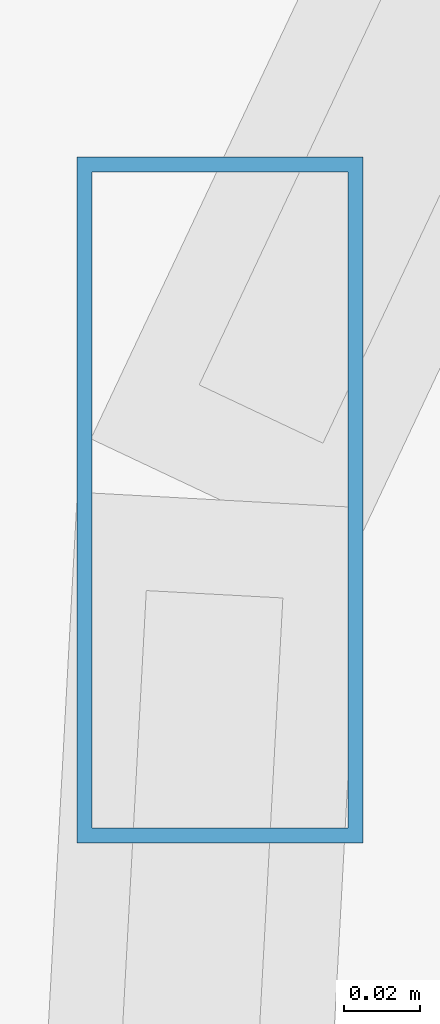
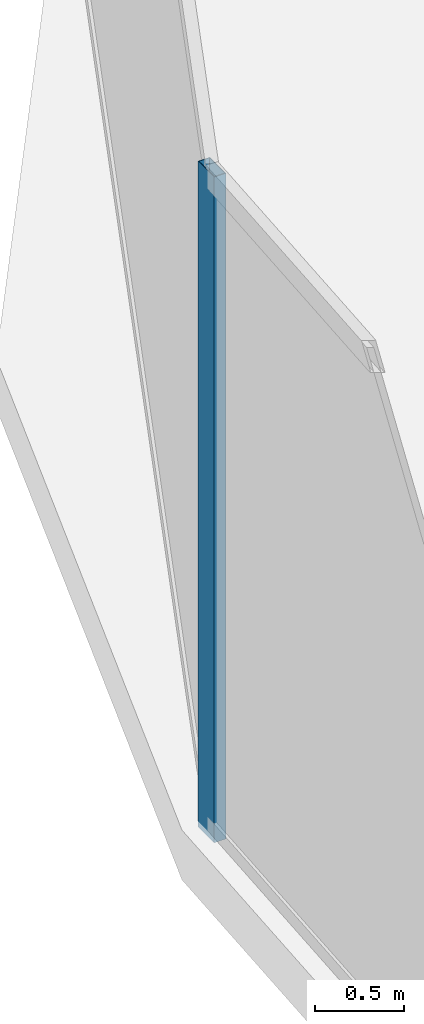
# One storey, part 14 of 36: 1 member, 1 element without a shape of its own.
"""IFC4 building model written with IfcOpenShell, lengths in metres."""

from ifc_helpers import new_model, si_unit, direction, frame, origin, origin_2d, place, context, subcontext, project, spatial, hollow_rectangle, extrude, material, material_profile, profile_set, type_object, element, aggregate, save


model = new_model("IFC4")

# Units and contexts
model_context = context("Model", 3, precision=1e-05, world=origin(), true_north=direction((0.0, 1.0)))
body_context = subcontext(model_context, "Body", "Model", "MODEL_VIEW")
ifc_project = project(units=[si_unit("LENGTHUNIT", "METRE"), si_unit("AREAUNIT", "SQUARE_METRE"), si_unit("VOLUMEUNIT", "CUBIC_METRE"), si_unit("PLANEANGLEUNIT", "RADIAN"), si_unit("MASSUNIT", "GRAM", prefix="KILO")], contexts=[model_context])

# Site, building, storey
site_placement = place(None, origin())
site = spatial("IfcSite", under=ifc_project, at=site_placement, CompositionType="ELEMENT")
building_placement = place(site_placement, origin())
building = spatial("IfcBuilding", under=site, at=building_placement, Name="Vorneva Point Tower", CompositionType="ELEMENT")
storey_placement = place(building_placement, origin())
storey = spatial("IfcBuildingStorey", under=building, at=storey_placement, Name="L00", CompositionType="ELEMENT", Elevation=0.0)

# Curtain wall, member
ifc_material = material(Name="Pale anodised aluminium", Category="aluminium")
curtain_wall_type = type_object("IfcCurtainWallType", Name="CW-POD-SYS", PredefinedType="NOTDEFINED", material=ifc_material)
curtain_wall_placement = place(storey_placement, origin())
curtain_wall = element("IfcCurtainWall", 1, at=curtain_wall_placement, inside=storey, type_object=curtain_wall_type, Name="L00 Unitised Curtain Wall CW-L00-R04", PredefinedType="NOTDEFINED")
ifc_material_profile = material_profile(ifc_material, hollow_rectangle(XDim=0.074951171875, YDim=0.179931640625, WallThickness=0.00390625, at=origin_2d()), Name="AL-MUL 180x75x4")
ifc_profile_set = profile_set([ifc_material_profile], Name="Pale anodised aluminium")
member_type = type_object("IfcMemberType", Name="CW-MUL-180", PredefinedType="MULLION", material=ifc_profile_set)
member_placement = place(storey_placement, frame((2.902587890625, 34.630126953125, -0.0400390625), z_axis=(0.0, 0.0, 1.0), x_axis=(1.0, 0.0, 0.0)))
member = element("IfcMember", 2, at=member_placement, type_object=member_type, Name="CW-L00-R04 Mullion 02", PredefinedType="MULLION", context=body_context, shape_type="SweptSolid", body=[
    extrude(hollow_rectangle(XDim=0.074951171875, YDim=0.179931640625, WallThickness=0.00390625, at=origin_2d()), origin(), (0.0, 0.0, 1.0), 4.550048828125),
])
aggregate(curtain_wall, [member])

save(model, "model.ifc")
